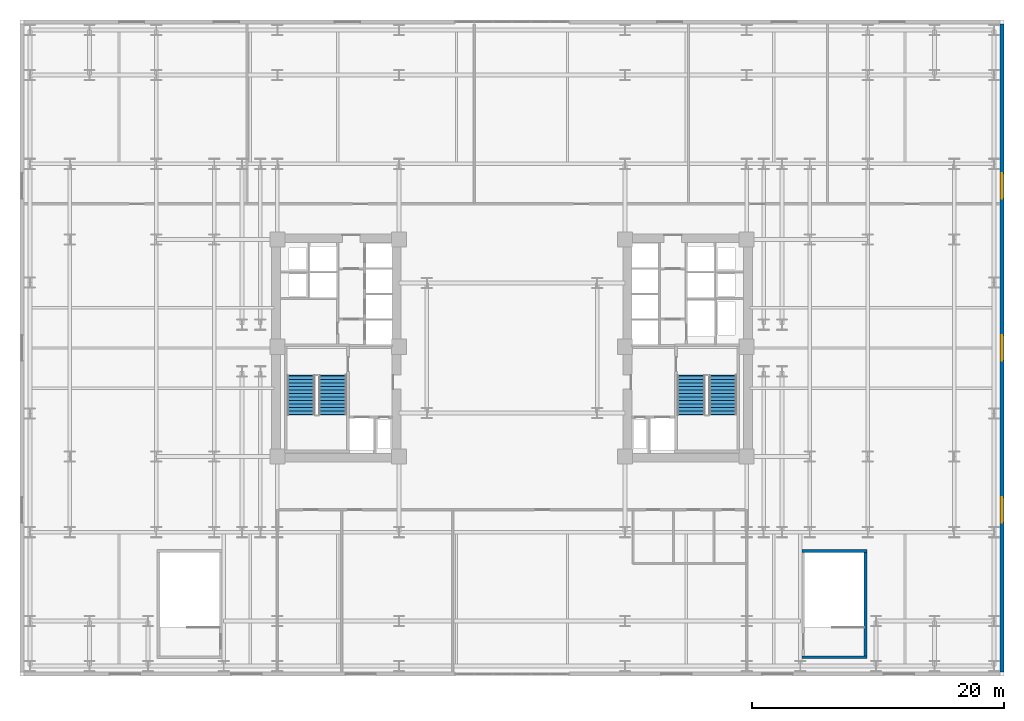
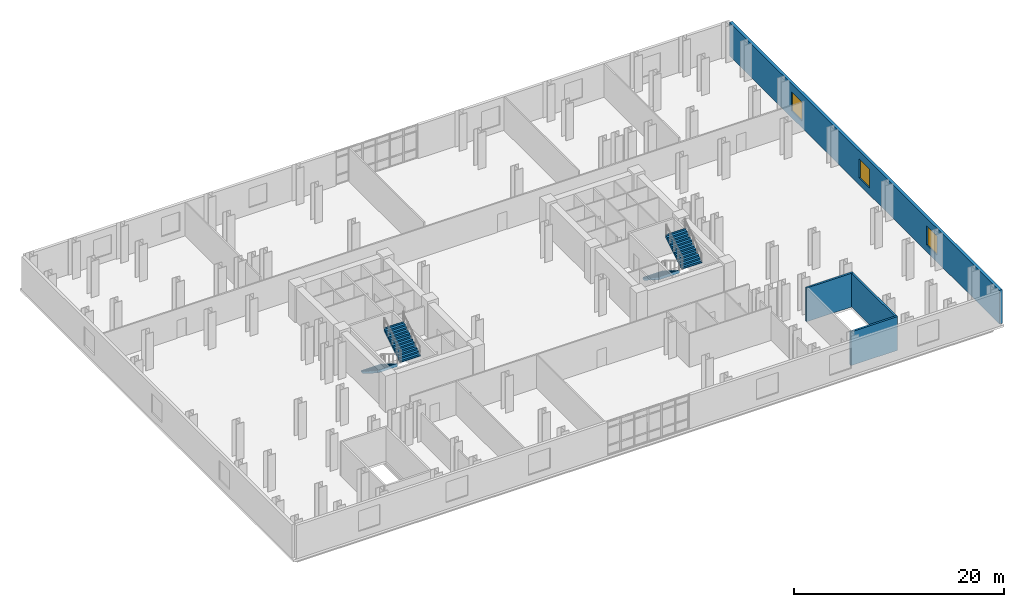
# One storey, part 11 of 13: 4 stair flights, 4 walls, 3 windows, 3 openings, 2 elements without a shape of their own.
"""IFC4 building model written with IfcOpenShell, lengths in metres."""

import ifcopenshell
import ifcopenshell.guid

model = None  # the IFC model being written
_history = None  # IfcOwnerHistory: only IFC2X3 demands one
_inside = {}  # id of a spatial element -> (the spatial element, [elements in it])
_under = {}  # id of a project, library or spatial element -> (it, [spatial elements below it])
_declared = {}  # id of a project -> (the project, [libraries it declares])
_typed = {}  # id of a type object -> (the type object, [elements of that type])
_made_of = {}  # id of a material, layer set ... -> (it, [elements and type objects made of it])


def new_model(schema):
    """Start an empty IFC model of exactly this schema.

    Asked for "IFC4X3", IfcOpenShell would pick the latest addendum, in which some entities
    have other attributes; the version numbers below select the first issue.
    IFC2X3 requires an IfcOwnerHistory on every rooted entity: one is made here for all.
    """
    global model, _history
    if schema == "IFC4X3":
        model = ifcopenshell.file(schema_version=(4, 3, 0, 0))
    else:
        model = ifcopenshell.file(schema=schema)
    _inside.clear()
    _under.clear()
    _declared.clear()
    _typed.clear()
    _made_of.clear()
    _history = None
    if model.schema == "IFC2X3":
        org = make("IfcOrganization", Name="unknown")
        user = make(
            "IfcPersonAndOrganization",
            ThePerson=make("IfcPerson", FamilyName="unknown"),
            TheOrganization=org,
        )
        app = make(
            "IfcApplication",
            ApplicationDeveloper=org,
            Version="unknown",
            ApplicationFullName="unknown",
            ApplicationIdentifier="unknown",
        )
        _history = make(
            "IfcOwnerHistory",
            OwningUser=user,
            OwningApplication=app,
            ChangeAction="ADDED",
            CreationDate=0,
        )
    return model


def make(cls, **values):
    """One entity of the class cls with the attributes given. An attribute that is None is left unset."""
    return model.create_entity(
        cls, **{name: value for name, value in values.items() if value is not None}
    )


def rooted(cls, **values):
    """An entity with a GlobalId (a new one), such as an element, a storey or a relation."""
    return make(cls, GlobalId=ifcopenshell.guid.new(), OwnerHistory=_history, **values)


def si_unit(unit_type, name, prefix=None):
    """IfcSIUnit, for example si_unit("LENGTHUNIT", "METRE", prefix="MILLI")."""
    return make("IfcSIUnit", UnitType=unit_type, Prefix=prefix, Name=name)


def assignment(units):
    """IfcUnitAssignment: the units of a project."""
    return None if units is None else make("IfcUnitAssignment", Units=units)


def point(xyz):
    """IfcCartesianPoint."""
    return None if xyz is None else make("IfcCartesianPoint", Coordinates=xyz)


def direction(xyz):
    """IfcDirection."""
    return None if xyz is None else make("IfcDirection", DirectionRatios=xyz)


def frame(location, z_axis=None, x_axis=None):
    """IfcAxis2Placement3D, a coordinate frame: its origin and axes. An axis left out is left unset."""
    return make(
        "IfcAxis2Placement3D",
        Location=point(location),
        Axis=direction(z_axis),
        RefDirection=direction(x_axis),
    )


def frame_2d(location, x_axis=None):
    """IfcAxis2Placement2D, a coordinate frame in the plane: its origin and x axis."""
    return make(
        "IfcAxis2Placement2D", Location=point(location), RefDirection=direction(x_axis)
    )


def origin():
    """The frame at (0, 0, 0) with its axes left unset."""
    return frame((0.0, 0.0, 0.0))


def place(relative_to, where):
    """IfcLocalPlacement: puts the frame where relative to a parent placement (None: the world)."""
    return make(
        "IfcLocalPlacement", PlacementRelTo=relative_to, RelativePlacement=where
    )


def context(
    kind, dimensions, precision=None, world=None, true_north=None, identifier=None
):
    """IfcGeometricRepresentationContext, for example the 3D "Model" context."""
    return make(
        "IfcGeometricRepresentationContext",
        ContextIdentifier=identifier,
        ContextType=kind,
        CoordinateSpaceDimension=dimensions,
        Precision=precision,
        WorldCoordinateSystem=world,
        TrueNorth=true_north,
    )


def subcontext(parent, identifier, kind, view, scale=None):
    """IfcGeometricRepresentationSubContext, for example "Body" below "Model"."""
    return make(
        "IfcGeometricRepresentationSubContext",
        ContextIdentifier=identifier,
        ContextType=kind,
        ParentContext=parent,
        TargetScale=scale,
        TargetView=view,
    )


def project(units=None, contexts=None):
    """IfcProject with its units and contexts."""
    return rooted(
        "IfcProject",
        Name="project",
        RepresentationContexts=contexts,
        UnitsInContext=assignment(units),
    )


def spatial(cls, under=None, at=None, **own):
    """A site, building, storey or space (cls), placed at a placement, below another one or the project."""
    s = rooted(cls, ObjectPlacement=at, **own)
    if under is not None:
        _under.setdefault(under.id(), (under, []))[1].append(s)
    return s


def polyline(points):
    """IfcPolyline through the points."""
    return make("IfcPolyline", Points=[point(p) for p in points])


def profile(cls, at=None, kind="AREA", **sizes):
    """A parametric profile (cls). Its sizes go by their IFC names, for example OverallWidth=200.0."""
    return make(cls, ProfileType=kind, Position=at, **sizes)


def rectangle(**sizes):
    """IfcRectangleProfileDef."""
    return profile("IfcRectangleProfileDef", **sizes)


def outline(outer, holes=None, kind="AREA"):
    """IfcArbitraryClosedProfileDef: a profile drawn as a closed curve; with holes, ...WithVoids."""
    if holes is None:
        return make("IfcArbitraryClosedProfileDef", ProfileType=kind, OuterCurve=outer)
    return make(
        "IfcArbitraryProfileDefWithVoids",
        ProfileType=kind,
        OuterCurve=outer,
        InnerCurves=holes,
    )


def extrude(swept, where, along, depth):
    """IfcExtrudedAreaSolid: the profile swept, set in the frame where, extruded along a direction by depth."""
    return make(
        "IfcExtrudedAreaSolid",
        SweptArea=swept,
        Position=where,
        ExtrudedDirection=direction(along),
        Depth=depth,
    )


def shape(context_of_items, identifier, shape_type, items):
    """IfcShapeRepresentation: the items that make up one representation, for example the "Body"."""
    return make(
        "IfcShapeRepresentation",
        ContextOfItems=context_of_items,
        RepresentationIdentifier=identifier,
        RepresentationType=shape_type,
        Items=items,
    )


def material(Name=None, Category=None):
    """IfcMaterial."""
    return make("IfcMaterial", Name=Name, Category=Category)


def layer(
    of_material, thickness, ventilated=None, Name=None, Category=None, Priority=None
):
    """IfcMaterialLayer: one layer of a wall or slab, of a material (None: an air gap)."""
    return make(
        "IfcMaterialLayer",
        Material=of_material,
        LayerThickness=thickness,
        IsVentilated=ventilated,
        Name=Name,
        Category=Category,
        Priority=Priority,
    )


def layer_set(layers, Name=None):
    """IfcMaterialLayerSet."""
    return make("IfcMaterialLayerSet", MaterialLayers=layers, LayerSetName=Name)


def made_of(thing, what):
    """Note that an element or type object is made of a material, layer set ...; save() writes the relation."""
    if what is not None:
        _made_of.setdefault(what.id(), (what, []))[1].append(thing)
    return thing


def type_object(cls, material=None, **own):
    """A type object (cls), such as IfcWallType, which elements share."""
    return made_of(rooted(cls, **own), material)


def element(
    cls,
    number,
    at=None,
    inside=None,
    cuts=None,
    type_object=None,
    material=None,
    context=None,
    identifier="Body",
    shape_type=None,
    held_by="IfcProductDefinitionShape",
    body=None,
    shapes=None,
    **own,
):
    """One element of the class cls, such as IfcWall. Its Tag is "e" and its number.

    at: its placement. inside: the storey or other place that contains it. cuts: it is an
    opening in that element (IfcRelVoidsElement). A single representation is given by context,
    identifier, shape_type and body (its items); several are given by shapes. held_by: the class
    of the entity that holds the representations. save() writes the other relations.
    """
    e = rooted(cls, Tag="e%d" % number, ObjectPlacement=at, **own)
    if body is not None:
        shapes = [shape(context, identifier, shape_type, body)]
    if shapes is not None:
        e.Representation = make(held_by, Representations=shapes)
    if inside is not None:
        _inside.setdefault(inside.id(), (inside, []))[1].append(e)
    if cuts is not None:
        rooted(
            "IfcRelVoidsElement", RelatingBuildingElement=cuts, RelatedOpeningElement=e
        )
    if type_object is not None:
        _typed.setdefault(type_object.id(), (type_object, []))[1].append(e)
    return made_of(e, material)


def fill(opening, filler):
    """IfcRelFillsElement: the door or window that sits in an opening."""
    return rooted(
        "IfcRelFillsElement",
        RelatingOpeningElement=opening,
        RelatedBuildingElement=filler,
    )


def aggregate(whole, parts):
    """IfcRelAggregates: a whole, such as a stair, and the parts it consists of."""
    return rooted("IfcRelAggregates", RelatingObject=whole, RelatedObjects=parts)


def save(model, path):
    """Write the relations noted so far, then the file.

    IfcRelAggregates (storeys below a building ...), IfcRelContainedInSpatialStructure (elements
    in a storey), IfcRelDefinesByType, IfcRelAssociatesMaterial and IfcRelDeclares: one each for
    every whole, place, type object, material and project.
    """
    for whole, parts in _under.values():
        aggregate(whole, parts)
    for where, things in _inside.values():
        rooted(
            "IfcRelContainedInSpatialStructure",
            RelatedElements=things,
            RelatingStructure=where,
        )
    for kind, things in _typed.values():
        rooted("IfcRelDefinesByType", RelatedObjects=things, RelatingType=kind)
    for what, things in _made_of.values():
        rooted("IfcRelAssociatesMaterial", RelatedObjects=things, RelatingMaterial=what)
    for by, libraries in _declared.values():
        rooted("IfcRelDeclares", RelatingContext=by, RelatedDefinitions=libraries)
    model.write(path)


model = new_model("IFC4")

# Units and contexts
model_context = context("Model", 3, precision=1e-05, world=origin(), true_north=direction((0.0, 1.0)))
body_context = subcontext(model_context, "Body", "Model", "MODEL_VIEW")
ifc_project = project(units=[si_unit("LENGTHUNIT", "METRE"), si_unit("AREAUNIT", "SQUARE_METRE"), si_unit("VOLUMEUNIT", "CUBIC_METRE"), si_unit("PLANEANGLEUNIT", "RADIAN"), si_unit("MASSUNIT", "GRAM", prefix="KILO")], contexts=[model_context])

# Site, building, storey
site_placement = place(None, origin())
site = spatial("IfcSite", under=ifc_project, at=site_placement, CompositionType="ELEMENT")
building_placement = place(site_placement, origin())
building = spatial("IfcBuilding", under=site, at=building_placement, Name="Velakula Bourse", CompositionType="ELEMENT")
storey_placement = place(building_placement, frame((0.0, 0.0, 22.800048828125)))
storey = spatial("IfcBuildingStorey", under=building, at=storey_placement, Name="L05", CompositionType="ELEMENT", Elevation=22.800048828125)

# Walls
ifc_material_1 = material(Name="Concrete M50 (fck 50 MPa)", Category="concrete")
ifc_layer_1 = layer(ifc_material_1, 0.2099609375, Name="Concrete M50 (fck 50 MPa)", Category="concrete")
ifc_layer_set_1 = layer_set([ifc_layer_1], Name="Concrete M50 (fck 50 MPa)")
wall_type_1 = type_object("IfcWallType", Name="WL-CORE-210", PredefinedType="SHEAR", material=ifc_layer_set_1)
for number, where, z_axis, x_axis, name in (
    (1, (22.989990234375, -24.5048828125, 0.0), (0.0, 0.0, 1.0), (1.0, 0.0, 0.0), "L05 Podium Stair ST-P2 Shear Wall S"),
    (2, (22.989990234375, -16.094970703125, 0.0), (0.0, 0.0, 1.0), (1.0, 0.0, 0.0), "L05 Podium Stair ST-P2 Shear Wall N"),
):
    element("IfcWall", number, at=place(storey_placement, frame(where, z_axis=z_axis, x_axis=x_axis)), inside=storey, type_object=wall_type_1, Name=name, PredefinedType="SHEAR", context=body_context, shape_type="SweptSolid", body=[
        extrude(rectangle(XDim=5.139892578125, YDim=0.2099609375, at=frame_2d((2.56982421875, 0.0))), origin(), (0.0, 0.0, 1.0), 3.919921875),
    ])
wall_1_placement = place(storey_placement, frame((28.02490234375, -24.39990234375, 0.0), z_axis=(0.0, 0.0, 1.0), x_axis=(0.0, 1.0, 0.0)))
element("IfcWall", 3, at=wall_1_placement, inside=storey, type_object=wall_type_1, Name="L05 Podium Stair ST-P2 Shear Wall E", PredefinedType="SHEAR", context=body_context, shape_type="SweptSolid", body=[
    extrude(rectangle(XDim=8.199951171875, YDim=0.2099609375, at=frame_2d((4.10009765625, 0.0))), origin(), (0.0, 0.0, 1.0), 3.919921875),
])

# Wall, openings, windows
ifc_material_2 = material(Name="Red kilned clay facing brick masonry", Category="masonry")
ifc_layer_2 = layer(ifc_material_2, 0.320068359375, Name="Red kilned clay facing brick masonry", Category="masonry")
ifc_layer_set_2 = layer_set([ifc_layer_2], Name="Red kilned clay facing brick masonry")
wall_type_2 = type_object("IfcWallType", Name="WL-EXT-BRK-320", PredefinedType="STANDARD", material=ifc_layer_set_2)
wall_2_placement = place(storey_placement, frame((38.840087890625, 25.679931640625, 0.0), z_axis=(0.0, 0.0, 1.0), x_axis=(0.0, -1.0, 0.0)))
wall_2 = element("IfcWall", 4, at=wall_2_placement, inside=storey, type_object=wall_type_2, Name="L05 E Brick Facade Wall", PredefinedType="STANDARD", context=body_context, shape_type="SweptSolid", body=[
    extrude(rectangle(XDim=51.35986328125, YDim=0.320068359375, at=frame_2d((25.679931640625, 0.0))), origin(), (0.0, 0.0, 1.0), 3.89990234375),
])
opening_1_placement = place(wall_2_placement, frame((11.840087890625, 0.0, 0.800048828125)))
opening_1 = element("IfcOpeningElement", 5, at=opening_1_placement, cuts=wall_2, Name="Opening W-07", PredefinedType="OPENING", context=body_context, shape_type="SweptSolid", body=[
    extrude(rectangle(XDim=2.0, YDim=2.199951171875, at=frame_2d((1.0, 1.10009765625))), frame((0.0, 0.169921875, 0.0), z_axis=(0.0, -1.0, 0.0), x_axis=(1.0, 0.0, 0.0)), (0.0, 0.0, 1.0), 0.340087890625),
])
opening_2_placement = place(wall_2_placement, frame((24.679931640625, 0.0, 0.800048828125)))
opening_2 = element("IfcOpeningElement", 6, at=opening_2_placement, cuts=wall_2, Name="Opening W-07", PredefinedType="OPENING", context=body_context, shape_type="SweptSolid", body=[
    extrude(rectangle(XDim=2.0, YDim=2.199951171875, at=frame_2d((1.0, 1.10009765625))), frame((0.0, 0.169921875, 0.0), z_axis=(0.0, -1.0, 0.0), x_axis=(1.0, 0.0, 0.0)), (0.0, 0.0, 1.0), 0.340087890625),
])
opening_3_placement = place(wall_2_placement, frame((37.52001953125, 0.0, 0.800048828125)))
opening_3 = element("IfcOpeningElement", 7, at=opening_3_placement, cuts=wall_2, Name="Opening W-07", PredefinedType="OPENING", context=body_context, shape_type="SweptSolid", body=[
    extrude(rectangle(XDim=2.0, YDim=2.199951171875, at=frame_2d((1.0, 1.10009765625))), frame((0.0, 0.169921875, 0.0), z_axis=(0.0, -1.0, 0.0), x_axis=(1.0, 0.0, 0.0)), (0.0, 0.0, 1.0), 0.340087890625),
])
ifc_material_3 = material(Name="Double-glazed solar-control Low-E glass", Category="glass")
window_type = type_object("IfcWindowType", Name="WIN-POD-2000x2400", PartitioningType="DOUBLE_PANEL_VERTICAL", PredefinedType="WINDOW", material=ifc_material_3)
window_1_placement = place(opening_1_placement, origin())
window_1 = element("IfcWindow", 8, at=window_1_placement, inside=storey, type_object=window_type, Name="L05 Deep-Set Recessed Window 1", OverallHeight=2.199951171875, OverallWidth=2.0, PartitioningType="DOUBLE_PANEL_VERTICAL", PredefinedType="WINDOW", context=body_context, shape_type="SweptSolid", body=[
    extrude(rectangle(XDim=2.0, YDim=2.199951171875, at=frame_2d((1.0, 1.10009765625))), frame((0.0, 0.030029296875, 0.0), z_axis=(0.0, -1.0, 0.0), x_axis=(1.0, 0.0, 0.0)), (0.0, 0.0, 1.0), 0.06005859375),
])
fill(opening_1, window_1)
window_2_placement = place(opening_2_placement, origin())
window_2 = element("IfcWindow", 9, at=window_2_placement, inside=storey, type_object=window_type, Name="L05 Deep-Set Recessed Window 2", OverallHeight=2.199951171875, OverallWidth=2.0, PartitioningType="DOUBLE_PANEL_VERTICAL", PredefinedType="WINDOW", context=body_context, shape_type="SweptSolid", body=[
    extrude(rectangle(XDim=2.0, YDim=2.199951171875, at=frame_2d((1.0, 1.10009765625))), frame((0.0, 0.030029296875, 0.0), z_axis=(0.0, -1.0, 0.0), x_axis=(1.0, 0.0, 0.0)), (0.0, 0.0, 1.0), 0.06005859375),
])
fill(opening_2, window_2)
window_3_placement = place(opening_3_placement, origin())
window_3 = element("IfcWindow", 10, at=window_3_placement, inside=storey, type_object=window_type, Name="L05 Deep-Set Recessed Window 3", OverallHeight=2.199951171875, OverallWidth=2.0, PartitioningType="DOUBLE_PANEL_VERTICAL", PredefinedType="WINDOW", context=body_context, shape_type="SweptSolid", body=[
    extrude(rectangle(XDim=2.0, YDim=2.199951171875, at=frame_2d((1.0, 1.10009765625))), frame((0.0, 0.030029296875, 0.0), z_axis=(0.0, -1.0, 0.0), x_axis=(1.0, 0.0, 0.0)), (0.0, 0.0, 1.0), 0.06005859375),
])
fill(opening_3, window_3)

# Stair, stair flights
ifc_material_4 = material(Name="Concrete M45 (fck 45 MPa)", Category="concrete")
stair_type = type_object("IfcStairType", Name="STR-DOG-435", PredefinedType="HALF_TURN_STAIR", material=ifc_material_4)
stair_1_placement = place(storey_placement, origin())
stair_1 = element("IfcStair", 11, at=stair_1_placement, inside=storey, type_object=stair_type, Name="L05 West Core Exit Stair ST-W1", PredefinedType="HALF_TURN_STAIR")
ifc_layer_3 = layer(ifc_material_4, 0.199951171875, Name="Concrete M45 (fck 45 MPa)", Category="concrete")
ifc_layer_set_3 = layer_set([ifc_layer_3], Name="Concrete M45 (fck 45 MPa)")
stair_flight_type = type_object("IfcStairFlightType", Name="FLT-DOG-435", PredefinedType="STRAIGHT", material=ifc_layer_set_3)
stair_flight_1_placement = place(storey_placement, frame((-16.720947265625, -2.199951171875, 0.0), z_axis=(0.0, 0.0, 1.0), x_axis=(0.0, -1.0, 0.0)))
stair_flight_1 = element("IfcStairFlight", 12, at=stair_flight_1_placement, type_object=stair_flight_type, Name="ST-W1 flight 1", NumberOfRisers=12, NumberOfTreads=11, PredefinedType="STRAIGHT", RiserHeight=0.175, TreadLength=0.28, context=body_context, shape_type="SweptSolid", body=[
    extrude(outline(polyline([(-0.044921875, -0.0400390625), (-0.044921875, -0.036865234375), (-0.044921875, -0.033935546875), (-0.044921875, -0.03076171875), (-0.044921875, -0.027587890625), (-0.044921875, -0.024658203125), (-0.044921875, -0.021484375), (-0.044921875, -0.0185546875), (-0.044921875, -0.015380859375), (-0.044921875, -0.01220703125), (-0.044921875, -0.00927734375), (-0.044921875, -0.006103515625), (-0.044921875, -0.003173828125), (-0.044921875, 0.0), (0.0, 0.0), (0.0, 0.175048828125), (0.280029296875, 0.175048828125), (0.280029296875, 0.35009765625), (0.56005859375, 0.35009765625), (0.56005859375, 0.52490234375), (0.840087890625, 0.52490234375), (0.840087890625, 0.699951171875), (1.1201171875, 0.699951171875), (1.1201171875, 0.875), (1.39990234375, 0.875), (1.39990234375, 1.050048828125), (1.679931640625, 1.050048828125), (1.679931640625, 1.22509765625), (1.9599609375, 1.22509765625), (1.9599609375, 1.39990234375), (2.239990234375, 1.39990234375), (2.239990234375, 1.574951171875), (2.52001953125, 1.574951171875), (2.52001953125, 1.75), (2.800048828125, 1.75), (2.800048828125, 1.925048828125), (3.080078125, 1.925048828125), (3.080078125, 2.10009765625), (3.125, 2.10009765625), (3.125, 2.074951171875), (3.125, 2.0498046875), (3.125, 2.024658203125), (3.125, 1.99951171875), (3.125, 1.974365234375), (3.125, 1.94921875), (3.125, 1.924072265625), (3.125, 1.89892578125), (3.125, 1.873779296875), (3.125, 1.8486328125), (3.125, 1.823486328125), (3.125, 1.798583984375), (3.125, 1.7734375), (3.125, 1.748291015625), (0.28271484375, -0.0400390625), (-0.044921875, -0.0400390625)])), frame((0.0, 1.09912109375, 0.0), z_axis=(0.0, -1.0, 0.0), x_axis=(1.0, 0.0, 0.0)), (0.0, 0.0, 1.0), 2.197998046875),
])
stair_flight_2_placement = place(storey_placement, frame((-14.198974609375, -5.280029296875, 2.099853515625), z_axis=(0.0, 0.0, 1.0), x_axis=(0.0, 1.0, 0.0)))
stair_flight_2 = element("IfcStairFlight", 13, at=stair_flight_2_placement, type_object=stair_flight_type, Name="ST-W1 flight 2", NumberOfRisers=12, NumberOfTreads=11, PredefinedType="STRAIGHT", RiserHeight=0.175, TreadLength=0.28, context=body_context, shape_type="SweptSolid", body=[
    extrude(outline(polyline([(-0.044921875, -0.0400390625), (-0.044921875, -0.036865234375), (-0.044921875, -0.033935546875), (-0.044921875, -0.03076171875), (-0.044921875, -0.027587890625), (-0.044921875, -0.024658203125), (-0.044921875, -0.021484375), (-0.044921875, -0.0185546875), (-0.044921875, -0.015380859375), (-0.044921875, -0.01220703125), (-0.044921875, -0.00927734375), (-0.044921875, -0.006103515625), (-0.044921875, -0.003173828125), (-0.044921875, 0.0), (0.0, 0.0), (0.0, 0.175048828125), (0.280029296875, 0.175048828125), (0.280029296875, 0.35009765625), (0.56005859375, 0.35009765625), (0.56005859375, 0.52490234375), (0.840087890625, 0.52490234375), (0.840087890625, 0.699951171875), (1.1201171875, 0.699951171875), (1.1201171875, 0.875), (1.39990234375, 0.875), (1.39990234375, 1.050048828125), (1.679931640625, 1.050048828125), (1.679931640625, 1.22509765625), (1.9599609375, 1.22509765625), (1.9599609375, 1.39990234375), (2.239990234375, 1.39990234375), (2.239990234375, 1.574951171875), (2.52001953125, 1.574951171875), (2.52001953125, 1.75), (2.800048828125, 1.75), (2.800048828125, 1.925048828125), (3.080078125, 1.925048828125), (3.080078125, 2.10009765625), (3.125, 2.10009765625), (3.125, 2.074951171875), (3.125, 2.0498046875), (3.125, 2.024658203125), (3.125, 1.99951171875), (3.125, 1.974365234375), (3.125, 1.94921875), (3.125, 1.924072265625), (3.125, 1.89892578125), (3.125, 1.873779296875), (3.125, 1.8486328125), (3.125, 1.823486328125), (3.125, 1.798583984375), (3.125, 1.7734375), (3.125, 1.748291015625), (0.28271484375, -0.0400390625), (-0.044921875, -0.0400390625)])), frame((0.0, 1.09912109375, 0.0), z_axis=(0.0, -1.0, 0.0), x_axis=(1.0, 0.0, 0.0)), (0.0, 0.0, 1.0), 2.197998046875),
])
aggregate(stair_1, [stair_flight_1, stair_flight_2])

stair_2_placement = place(storey_placement, origin())
stair_2 = element("IfcStair", 14, at=stair_2_placement, inside=storey, type_object=stair_type, Name="L05 East Core Exit Stair ST-E1", PredefinedType="HALF_TURN_STAIR")
stair_flight_3_placement = place(storey_placement, frame((14.198974609375, -2.199951171875, 0.0), z_axis=(0.0, 0.0, 1.0), x_axis=(0.0, -1.0, 0.0)))
stair_flight_3 = element("IfcStairFlight", 15, at=stair_flight_3_placement, type_object=stair_flight_type, Name="ST-E1 flight 1", NumberOfRisers=12, NumberOfTreads=11, PredefinedType="STRAIGHT", RiserHeight=0.175, TreadLength=0.28, context=body_context, shape_type="SweptSolid", body=[
    extrude(outline(polyline([(-0.044921875, -0.0400390625), (-0.044921875, -0.036865234375), (-0.044921875, -0.033935546875), (-0.044921875, -0.03076171875), (-0.044921875, -0.027587890625), (-0.044921875, -0.024658203125), (-0.044921875, -0.021484375), (-0.044921875, -0.0185546875), (-0.044921875, -0.015380859375), (-0.044921875, -0.01220703125), (-0.044921875, -0.00927734375), (-0.044921875, -0.006103515625), (-0.044921875, -0.003173828125), (-0.044921875, 0.0), (0.0, 0.0), (0.0, 0.175048828125), (0.280029296875, 0.175048828125), (0.280029296875, 0.35009765625), (0.56005859375, 0.35009765625), (0.56005859375, 0.52490234375), (0.840087890625, 0.52490234375), (0.840087890625, 0.699951171875), (1.1201171875, 0.699951171875), (1.1201171875, 0.875), (1.39990234375, 0.875), (1.39990234375, 1.050048828125), (1.679931640625, 1.050048828125), (1.679931640625, 1.22509765625), (1.9599609375, 1.22509765625), (1.9599609375, 1.39990234375), (2.239990234375, 1.39990234375), (2.239990234375, 1.574951171875), (2.52001953125, 1.574951171875), (2.52001953125, 1.75), (2.800048828125, 1.75), (2.800048828125, 1.925048828125), (3.080078125, 1.925048828125), (3.080078125, 2.10009765625), (3.125, 2.10009765625), (3.125, 2.074951171875), (3.125, 2.0498046875), (3.125, 2.024658203125), (3.125, 1.99951171875), (3.125, 1.974365234375), (3.125, 1.94921875), (3.125, 1.924072265625), (3.125, 1.89892578125), (3.125, 1.873779296875), (3.125, 1.8486328125), (3.125, 1.823486328125), (3.125, 1.798583984375), (3.125, 1.7734375), (3.125, 1.748291015625), (0.28271484375, -0.0400390625), (-0.044921875, -0.0400390625)])), frame((0.0, 1.09912109375, 0.0), z_axis=(0.0, -1.0, 0.0), x_axis=(1.0, 0.0, 0.0)), (0.0, 0.0, 1.0), 2.197998046875),
])
stair_flight_4_placement = place(storey_placement, frame((16.720947265625, -5.280029296875, 2.099853515625), z_axis=(0.0, 0.0, 1.0), x_axis=(0.0, 1.0, 0.0)))
stair_flight_4 = element("IfcStairFlight", 16, at=stair_flight_4_placement, type_object=stair_flight_type, Name="ST-E1 flight 2", NumberOfRisers=12, NumberOfTreads=11, PredefinedType="STRAIGHT", RiserHeight=0.175, TreadLength=0.28, context=body_context, shape_type="SweptSolid", body=[
    extrude(outline(polyline([(-0.044921875, -0.0400390625), (-0.044921875, -0.036865234375), (-0.044921875, -0.033935546875), (-0.044921875, -0.03076171875), (-0.044921875, -0.027587890625), (-0.044921875, -0.024658203125), (-0.044921875, -0.021484375), (-0.044921875, -0.0185546875), (-0.044921875, -0.015380859375), (-0.044921875, -0.01220703125), (-0.044921875, -0.00927734375), (-0.044921875, -0.006103515625), (-0.044921875, -0.003173828125), (-0.044921875, 0.0), (0.0, 0.0), (0.0, 0.175048828125), (0.280029296875, 0.175048828125), (0.280029296875, 0.35009765625), (0.56005859375, 0.35009765625), (0.56005859375, 0.52490234375), (0.840087890625, 0.52490234375), (0.840087890625, 0.699951171875), (1.1201171875, 0.699951171875), (1.1201171875, 0.875), (1.39990234375, 0.875), (1.39990234375, 1.050048828125), (1.679931640625, 1.050048828125), (1.679931640625, 1.22509765625), (1.9599609375, 1.22509765625), (1.9599609375, 1.39990234375), (2.239990234375, 1.39990234375), (2.239990234375, 1.574951171875), (2.52001953125, 1.574951171875), (2.52001953125, 1.75), (2.800048828125, 1.75), (2.800048828125, 1.925048828125), (3.080078125, 1.925048828125), (3.080078125, 2.10009765625), (3.125, 2.10009765625), (3.125, 2.074951171875), (3.125, 2.0498046875), (3.125, 2.024658203125), (3.125, 1.99951171875), (3.125, 1.974365234375), (3.125, 1.94921875), (3.125, 1.924072265625), (3.125, 1.89892578125), (3.125, 1.873779296875), (3.125, 1.8486328125), (3.125, 1.823486328125), (3.125, 1.798583984375), (3.125, 1.7734375), (3.125, 1.748291015625), (0.28271484375, -0.0400390625), (-0.044921875, -0.0400390625)])), frame((0.0, 1.09912109375, 0.0), z_axis=(0.0, -1.0, 0.0), x_axis=(1.0, 0.0, 0.0)), (0.0, 0.0, 1.0), 2.197998046875),
])
aggregate(stair_2, [stair_flight_3, stair_flight_4])

save(model, "model.ifc")
